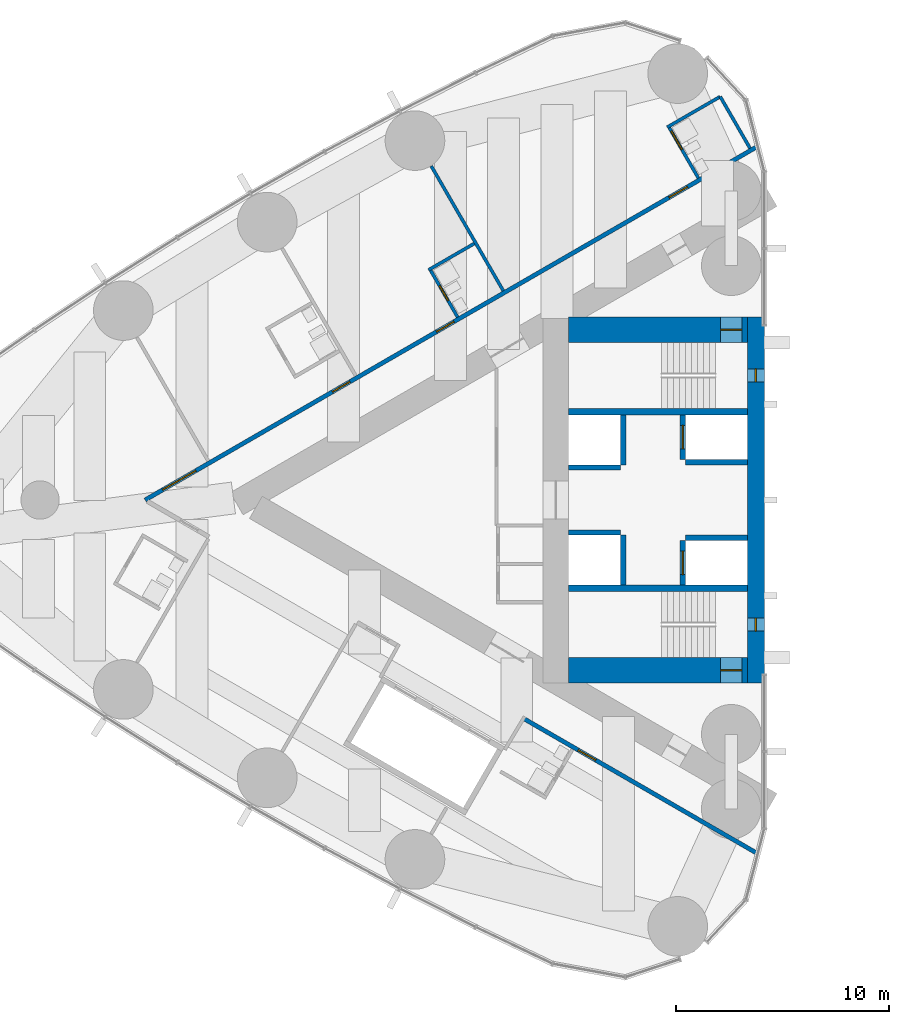
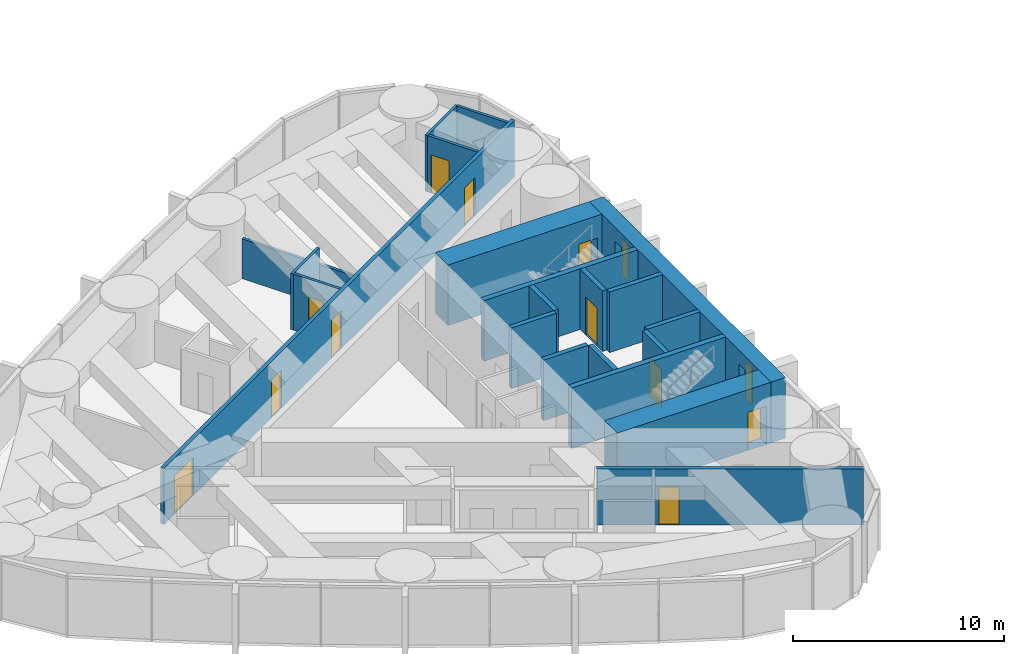
# One storey, part 13 of 19: 21 walls, 11 doors, 2 windows, 13 openings.
"""IFC4 building model written with IfcOpenShell, lengths in metres."""

from ifc_helpers import new_model, si_unit, direction, frame, frame_2d, origin, place, context, subcontext, project, spatial, rectangle, extrude, material, layer, layer_set, type_object, element, fill, save


model = new_model("IFC4")

# Units and contexts
model_context = context("Model", 3, precision=1e-05, world=origin(), true_north=direction((0.0, 1.0)))
body_context = subcontext(model_context, "Body", "Model", "MODEL_VIEW")
ifc_project = project(units=[si_unit("LENGTHUNIT", "METRE"), si_unit("AREAUNIT", "SQUARE_METRE"), si_unit("VOLUMEUNIT", "CUBIC_METRE"), si_unit("PLANEANGLEUNIT", "RADIAN"), si_unit("MASSUNIT", "GRAM", prefix="KILO")], contexts=[model_context])

# Site, building, storey
site_placement = place(None, origin())
site = spatial("IfcSite", under=ifc_project, at=site_placement, CompositionType="ELEMENT")
building_placement = place(site_placement, origin())
building = spatial("IfcBuilding", under=site, at=building_placement, Name="Lancet Gate Hotel", CompositionType="ELEMENT")
storey_placement = place(building_placement, frame((0.0, 0.0, 191.300048828125)))
storey = spatial("IfcBuildingStorey", under=building, at=storey_placement, Name="L51", CompositionType="ELEMENT", Elevation=191.300048828125)

# Wall
ifc_material_1 = material(Name="Moisture resistant board partition")
ifc_layer_1 = layer(ifc_material_1, 0.14990234375)
ifc_layer_set_1 = layer_set([ifc_layer_1], Name="Bathroom wall 150")
wall_type_1 = type_object("IfcWallType", Name="Bathroom wall 150", PredefinedType="PARTITIONING", material=ifc_layer_set_1)
wall_1_placement = place(storey_placement, frame((-29.56982421875, 18.936279296875, 0.0), z_axis=(0.0, 0.0, 1.0), x_axis=(-0.866018712932, -0.500011588718, 0.0)))
element("IfcWall", 1, at=wall_1_placement, inside=storey, type_object=wall_type_1, Name="T1 bathroom wall 150 L51", PredefinedType="PARTITIONING", context=body_context, shape_type="SweptSolid", body=[
    extrude(rectangle(XDim=2.875, YDim=0.14990234375, at=frame_2d((1.4375, 0.0))), origin(), (0.0, 0.0, 1.0), 3.25),
])

# Wall, opening, door
wall_2_placement = place(storey_placement, frame((-30.5947265625, 15.111328125, 0.0), z_axis=(0.0, 0.0, 1.0), x_axis=(-0.49998411664, 0.866034573852, 0.0)))
wall_2 = element("IfcWall", 2, at=wall_2_placement, inside=storey, type_object=wall_type_1, Name="T1 bathroom wall 150 L51", PredefinedType="PARTITIONING", context=body_context, shape_type="SweptSolid", body=[
    extrude(rectangle(XDim=2.7998046875, YDim=0.14990234375, at=frame_2d((1.39990234375, 0.0))), origin(), (0.0, 0.0, 1.0), 3.25),
])
opening_1_placement = place(wall_2_placement, frame((1.550048828125, 0.0, 0.0)))
opening_1 = element("IfcOpeningElement", 3, at=opening_1_placement, cuts=wall_2, Name="Opening 5101-B", PredefinedType="OPENING", context=body_context, shape_type="SweptSolid", body=[
    extrude(rectangle(XDim=1.0, YDim=2.199951171875, at=frame_2d((0.5, 1.10009765625))), frame((0.0, 0.0849609375, 0.0), z_axis=(0.0, -1.0, 0.0), x_axis=(1.0, 0.0, 0.0)), (0.0, 0.0, 1.0), 0.169921875),
])
ifc_material_2 = material(Name="Timber door set", Category="wood")
door_type_1 = type_object("IfcDoorType", Name="Accessible en-suite door 1000", OperationType="SINGLE_SWING_RIGHT", PredefinedType="DOOR", material=ifc_material_2)
door_1_placement = place(opening_1_placement, origin())
door_1 = element("IfcDoor", 4, at=door_1_placement, inside=storey, type_object=door_type_1, Name="5101-B", OperationType="SINGLE_SWING_RIGHT", OverallHeight=2.199951171875, OverallWidth=1.0, PredefinedType="DOOR", context=body_context, shape_type="SweptSolid", body=[
    extrude(rectangle(XDim=1.0, YDim=2.199951171875, at=frame_2d((0.5, 1.10009765625))), frame((0.0, 0.02490234375, 0.0), z_axis=(0.0, -1.0, 0.0), x_axis=(1.0, 0.0, 0.0)), (0.0, 0.0, 1.0), 0.050048828125),
])
fill(opening_1, door_1)

# Walls
wall_3_placement = place(storey_placement, frame((-28.169921875, 16.51123046875, 0.0), z_axis=(0.0, 0.0, 1.0), x_axis=(-0.49994636267, 0.866056369097, 0.0)))
element("IfcWall", 5, at=wall_3_placement, inside=storey, type_object=wall_type_1, Name="T1 bathroom wall 150 L51", PredefinedType="PARTITIONING", context=body_context, shape_type="SweptSolid", body=[
    extrude(rectangle(XDim=2.800048828125, YDim=0.14990234375, at=frame_2d((1.39990234375, 0.0))), origin(), (0.0, 0.0, 1.0), 3.25),
])
wall_4_placement = place(storey_placement, frame((-41.119140625, 12.037109375, 0.0), z_axis=(0.0, 0.0, 1.0), x_axis=(-0.866073894602, -0.499916002032, 0.0)))
element("IfcWall", 6, at=wall_4_placement, inside=storey, type_object=wall_type_1, Name="T1 bathroom wall 150 L51", PredefinedType="PARTITIONING", context=body_context, shape_type="SweptSolid", body=[
    extrude(rectangle(XDim=2.47509765625, YDim=0.14990234375, at=frame_2d((1.237548828125, 0.0))), origin(), (0.0, 0.0, 1.0), 3.25),
])

# Wall, opening, door
wall_5_placement = place(storey_placement, frame((-41.897705078125, 8.58544921875, 0.0), z_axis=(0.0, 0.0, 1.0), x_axis=(-0.500006934395, 0.866021400173, 0.0)))
wall_5 = element("IfcWall", 7, at=wall_5_placement, inside=storey, type_object=wall_type_1, Name="T1 bathroom wall 150 L51", PredefinedType="PARTITIONING", context=body_context, shape_type="SweptSolid", body=[
    extrude(rectangle(XDim=2.60009765625, YDim=0.14990234375, at=frame_2d((1.300048828125, 0.0))), origin(), (0.0, 0.0, 1.0), 3.25),
])
opening_2_placement = place(wall_5_placement, frame((0.89990234375, 0.0, 0.0)))
opening_2 = element("IfcOpeningElement", 8, at=opening_2_placement, cuts=wall_5, Name="Opening 5102-B", PredefinedType="OPENING", context=body_context, shape_type="SweptSolid", body=[
    extrude(rectangle(XDim=0.800048828125, YDim=2.199951171875, at=frame_2d((0.39990234375, 1.10009765625))), frame((0.0, 0.0849609375, 0.0), z_axis=(0.0, -1.0, 0.0), x_axis=(1.0, 0.0, 0.0)), (0.0, 0.0, 1.0), 0.169921875),
])
ifc_material_3 = material(Name="Timber door set", Category="wood")
door_type_2 = type_object("IfcDoorType", Name="Bathroom door 800", OperationType="SINGLE_SWING_RIGHT", PredefinedType="DOOR", material=ifc_material_3)
door_2_placement = place(opening_2_placement, origin())
door_2 = element("IfcDoor", 9, at=door_2_placement, inside=storey, type_object=door_type_2, Name="5102-B", OperationType="SINGLE_SWING_RIGHT", OverallHeight=2.199951171875, OverallWidth=0.800048828125, PredefinedType="DOOR", context=body_context, shape_type="SweptSolid", body=[
    extrude(rectangle(XDim=0.800048828125, YDim=2.199951171875, at=frame_2d((0.39990234375, 1.10009765625))), frame((0.0, 0.02490234375, 0.0), z_axis=(0.0, -1.0, 0.0), x_axis=(1.0, 0.0, 0.0)), (0.0, 0.0, 1.0), 0.050048828125),
])
fill(opening_2, door_2)

ifc_material_4 = material(Name="Concrete C70/85", Category="concrete")
ifc_layer_2 = layer(ifc_material_4, 1.199951171875)
ifc_layer_set_2 = layer_set([ifc_layer_2], Name="Core wall 1200")
wall_type_2 = type_object("IfcWallType", Name="Core wall 1200", PredefinedType="SHEAR", material=ifc_layer_set_2)
wall_6_placement = place(storey_placement, frame((-28.300048828125, 8.0, 0.0), z_axis=(0.0, 0.0, 1.0), x_axis=(-1.0, 0.0, 0.0)))
wall_6 = element("IfcWall", 10, at=wall_6_placement, inside=storey, type_object=wall_type_2, Name="T1 core wall side-S L51", PredefinedType="SHEAR", context=body_context, shape_type="SweptSolid", body=[
    extrude(rectangle(XDim=8.39990234375, YDim=1.199951171875, at=frame_2d((4.199951171875, 0.0))), origin(), (0.0, 0.0, 1.0), 3.5),
])
opening_3_placement = place(wall_6_placement, frame((0.25, 0.0, 0.0)))
opening_3 = element("IfcOpeningElement", 11, at=opening_3_placement, cuts=wall_6, Name="Opening T1-L51-ST1", PredefinedType="OPENING", context=body_context, shape_type="SweptSolid", body=[
    extrude(rectangle(XDim=1.0, YDim=2.199951171875, at=frame_2d((0.5, 1.10009765625))), frame((0.0, 0.60986328125, 0.0), z_axis=(0.0, -1.0, 0.0), x_axis=(1.0, 0.0, 0.0)), (0.0, 0.0, 1.0), 1.219970703125),
])
ifc_material_5 = material(Name="Timber door set", Category="wood")
door_type_3 = type_object("IfcDoorType", Name="Stair door 1000", OperationType="SINGLE_SWING_RIGHT", PredefinedType="DOOR", material=ifc_material_5)
door_3_placement = place(opening_3_placement, origin())
door_3 = element("IfcDoor", 12, at=door_3_placement, inside=storey, type_object=door_type_3, Name="T1-L51-ST1", OperationType="SINGLE_SWING_RIGHT", OverallHeight=2.199951171875, OverallWidth=1.0, PredefinedType="DOOR", context=body_context, shape_type="SweptSolid", body=[
    extrude(rectangle(XDim=1.0, YDim=2.199951171875, at=frame_2d((0.5, 1.10009765625))), frame((0.0, 0.02490234375, 0.0), z_axis=(0.0, -1.0, 0.0), x_axis=(1.0, 0.0, 0.0)), (0.0, 0.0, 1.0), 0.050048828125),
])
fill(opening_3, door_3)

wall_7_placement = place(storey_placement, frame((-28.300048828125, -8.0, 0.0), z_axis=(0.0, 0.0, 1.0), x_axis=(-1.0, 0.0, 0.0)))
wall_7 = element("IfcWall", 13, at=wall_7_placement, inside=storey, type_object=wall_type_2, Name="T1 core wall side-N L51", PredefinedType="SHEAR", context=body_context, shape_type="SweptSolid", body=[
    extrude(rectangle(XDim=8.39990234375, YDim=1.199951171875, at=frame_2d((4.199951171875, 0.0))), origin(), (0.0, 0.0, 1.0), 3.5),
])
opening_4_placement = place(wall_7_placement, frame((0.25, 0.0, 0.0)))
opening_4 = element("IfcOpeningElement", 14, at=opening_4_placement, cuts=wall_7, Name="Opening T1-L51-ST2", PredefinedType="OPENING", context=body_context, shape_type="SweptSolid", body=[
    extrude(rectangle(XDim=1.0, YDim=2.199951171875, at=frame_2d((0.5, 1.10009765625))), frame((0.0, 0.60986328125, 0.0), z_axis=(0.0, -1.0, 0.0), x_axis=(1.0, 0.0, 0.0)), (0.0, 0.0, 1.0), 1.219970703125),
])
door_4_placement = place(opening_4_placement, origin())
door_4 = element("IfcDoor", 15, at=door_4_placement, inside=storey, type_object=door_type_3, Name="T1-L51-ST2", OperationType="SINGLE_SWING_RIGHT", OverallHeight=2.199951171875, OverallWidth=1.0, PredefinedType="DOOR", context=body_context, shape_type="SweptSolid", body=[
    extrude(rectangle(XDim=1.0, YDim=2.199951171875, at=frame_2d((0.5, 1.10009765625))), frame((0.0, 0.02490234375, 0.0), z_axis=(0.0, -1.0, 0.0), x_axis=(1.0, 0.0, 0.0)), (0.0, 0.0, 1.0), 0.050048828125),
])
fill(opening_4, door_4)

# Wall, openings, windows
ifc_material_6 = material(Name="Concrete C70/85", Category="concrete")
ifc_layer_3 = layer(ifc_material_6, 0.800048828125)
ifc_layer_set_3 = layer_set([ifc_layer_3], Name="Core wall 800")
wall_type_3 = type_object("IfcWallType", Name="Core wall 800", PredefinedType="SHEAR", material=ifc_layer_set_3)
wall_8_placement = place(storey_placement, frame((-27.89990234375, 8.60009765625, 0.0), z_axis=(0.0, 0.0, 1.0), x_axis=(0.0, -1.0, 0.0)))
wall_8 = element("IfcWall", 16, at=wall_8_placement, inside=storey, type_object=wall_type_3, Name="T1 core wall front L51", PredefinedType="SHEAR", context=body_context, shape_type="SweptSolid", body=[
    extrude(rectangle(XDim=17.2001953125, YDim=0.800048828125, at=frame_2d((8.60009765625, 0.0))), origin(), (0.0, 0.0, 1.0), 3.5),
])
opening_5_placement = place(wall_8_placement, frame((2.449951171875, 0.0, 0.60009765625)))
opening_5 = element("IfcOpeningElement", 17, at=opening_5_placement, cuts=wall_8, Name="Opening LW1", PredefinedType="OPENING", context=body_context, shape_type="SweptSolid", body=[
    extrude(rectangle(XDim=0.60009765625, YDim=2.10009765625, at=frame_2d((0.300048828125, 1.050048828125))), frame((0.0, 0.409912109375, 0.0), z_axis=(0.0, -1.0, 0.0), x_axis=(1.0, 0.0, 0.0)), (0.0, 0.0, 1.0), 0.820068359375),
])
opening_6_placement = place(wall_8_placement, frame((14.14990234375, 0.0, 0.60009765625)))
opening_6 = element("IfcOpeningElement", 18, at=opening_6_placement, cuts=wall_8, Name="Opening LW1", PredefinedType="OPENING", context=body_context, shape_type="SweptSolid", body=[
    extrude(rectangle(XDim=0.60009765625, YDim=2.10009765625, at=frame_2d((0.300048828125, 1.050048828125))), frame((0.0, 0.409912109375, 0.0), z_axis=(0.0, -1.0, 0.0), x_axis=(1.0, 0.0, 0.0)), (0.0, 0.0, 1.0), 0.820068359375),
])
ifc_material_7 = material(Name="Fire-resisting glazed steel window", Category="steel")
window_type = type_object("IfcWindowType", Name="Lancet window 600x2100", PartitioningType="SINGLE_PANEL", PredefinedType="WINDOW", material=ifc_material_7)
window_1_placement = place(opening_5_placement, origin())
window_1 = element("IfcWindow", 19, at=window_1_placement, inside=storey, type_object=window_type, Name="T1 stair window S L51", OverallHeight=2.10009765625, OverallWidth=0.60009765625, PartitioningType="SINGLE_PANEL", PredefinedType="WINDOW", context=body_context, shape_type="SweptSolid", body=[
    extrude(rectangle(XDim=0.60009765625, YDim=2.10009765625, at=frame_2d((0.300048828125, 1.050048828125))), frame((0.0, 0.030029296875, 0.0), z_axis=(0.0, -1.0, 0.0), x_axis=(1.0, 0.0, 0.0)), (0.0, 0.0, 1.0), 0.06005859375),
])
fill(opening_5, window_1)
window_2_placement = place(opening_6_placement, origin())
window_2 = element("IfcWindow", 20, at=window_2_placement, inside=storey, type_object=window_type, Name="T1 stair window N L51", OverallHeight=2.10009765625, OverallWidth=0.60009765625, PartitioningType="SINGLE_PANEL", PredefinedType="WINDOW", context=body_context, shape_type="SweptSolid", body=[
    extrude(rectangle(XDim=0.60009765625, YDim=2.10009765625, at=frame_2d((0.300048828125, 1.050048828125))), frame((0.0, 0.030029296875, 0.0), z_axis=(0.0, -1.0, 0.0), x_axis=(1.0, 0.0, 0.0)), (0.0, 0.0, 1.0), 0.06005859375),
])
fill(opening_6, window_2)

# Wall, openings, doors
ifc_material_8 = material(Name="Gypsum board partition")
ifc_layer_4 = layer(ifc_material_8, 0.199951171875)
ifc_layer_set_4 = layer_set([ifc_layer_4], Name="Corridor wall 200")
wall_type_4 = type_object("IfcWallType", Name="Corridor wall 200", PredefinedType="PARTITIONING", material=ifc_layer_set_4)
wall_9_placement = place(storey_placement, frame((-27.860107421875, 16.57470703125, 0.0), z_axis=(0.0, 0.0, 1.0), x_axis=(-0.866025533911, -0.499999774615, 0.0)))
wall_9 = element("IfcWall", 21, at=wall_9_placement, inside=storey, type_object=wall_type_4, Name="T1 corridor wall 200 L51", PredefinedType="PARTITIONING", context=body_context, shape_type="SweptSolid", body=[
    extrude(rectangle(XDim=33.1494140625, YDim=0.199951171875, at=frame_2d((16.57470703125, 0.0))), origin(), (0.0, 0.0, 1.0), 3.25),
])
opening_7_placement = place(wall_9_placement, frame((3.75, 0.0, 0.0)))
opening_7 = element("IfcOpeningElement", 22, at=opening_7_placement, cuts=wall_9, Name="Opening 5101-E", PredefinedType="OPENING", context=body_context, shape_type="SweptSolid", body=[
    extrude(rectangle(XDim=1.0, YDim=2.199951171875, at=frame_2d((0.5, 1.10009765625))), frame((0.0, 0.10986328125, 0.0), z_axis=(0.0, -1.0, 0.0), x_axis=(1.0, 0.0, 0.0)), (0.0, 0.0, 1.0), 0.219970703125),
])
opening_8_placement = place(wall_9_placement, frame((16.401611328125, 0.0, 0.0)))
opening_8 = element("IfcOpeningElement", 23, at=opening_8_placement, cuts=wall_9, Name="Opening 5102-E", PredefinedType="OPENING", context=body_context, shape_type="SweptSolid", body=[
    extrude(rectangle(XDim=0.949951171875, YDim=2.199951171875, at=frame_2d((0.47509765625, 1.10009765625))), frame((0.0, 0.10986328125, 0.0), z_axis=(0.0, -1.0, 0.0), x_axis=(1.0, 0.0, 0.0)), (0.0, 0.0, 1.0), 0.219970703125),
])
opening_9_placement = place(wall_9_placement, frame((22.04736328125, 0.0, 0.0)))
opening_9 = element("IfcOpeningElement", 24, at=opening_9_placement, cuts=wall_9, Name="Opening 5103-E", PredefinedType="OPENING", context=body_context, shape_type="SweptSolid", body=[
    extrude(rectangle(XDim=0.949951171875, YDim=2.199951171875, at=frame_2d((0.47509765625, 1.10009765625))), frame((0.0, 0.10986328125, 0.0), z_axis=(0.0, -1.0, 0.0), x_axis=(1.0, 0.0, 0.0)), (0.0, 0.0, 1.0), 0.219970703125),
])
opening_10_placement = place(wall_9_placement, frame((30.3955078125, 0.0, 0.0)))
opening_10 = element("IfcOpeningElement", 25, at=opening_10_placement, cuts=wall_9, Name="Opening 5104-E", PredefinedType="OPENING", context=body_context, shape_type="SweptSolid", body=[
    extrude(rectangle(XDim=1.800048828125, YDim=2.199951171875, at=frame_2d((0.89990234375, 1.10009765625))), frame((0.0, 0.10986328125, 0.0), z_axis=(0.0, -1.0, 0.0), x_axis=(1.0, 0.0, 0.0)), (0.0, 0.0, 1.0), 0.219970703125),
])
ifc_material_9 = material(Name="Timber door set", Category="wood")
door_type_4 = type_object("IfcDoorType", Name="Accessible guest room door 1000", OperationType="SINGLE_SWING_LEFT", PredefinedType="DOOR", material=ifc_material_9)
door_5_placement = place(opening_7_placement, origin())
door_5 = element("IfcDoor", 26, at=door_5_placement, inside=storey, type_object=door_type_4, Name="5101-E", OperationType="SINGLE_SWING_LEFT", OverallHeight=2.199951171875, OverallWidth=1.0, PredefinedType="DOOR", context=body_context, shape_type="SweptSolid", body=[
    extrude(rectangle(XDim=1.0, YDim=2.199951171875, at=frame_2d((0.5, 1.10009765625))), frame((0.0, 0.02490234375, 0.0), z_axis=(0.0, -1.0, 0.0), x_axis=(1.0, 0.0, 0.0)), (0.0, 0.0, 1.0), 0.050048828125),
])
fill(opening_7, door_5)
ifc_material_10 = material(Name="Timber door set", Category="wood")
door_type_5 = type_object("IfcDoorType", Name="Double door 1800", OperationType="DOUBLE_DOOR_SINGLE_SWING", PredefinedType="DOOR", material=ifc_material_10)
door_6_placement = place(opening_10_placement, origin())
door_6 = element("IfcDoor", 27, at=door_6_placement, inside=storey, type_object=door_type_5, Name="5104-E", OperationType="DOUBLE_DOOR_SINGLE_SWING", OverallHeight=2.199951171875, OverallWidth=1.800048828125, PredefinedType="DOOR", context=body_context, shape_type="SweptSolid", body=[
    extrude(rectangle(XDim=1.800048828125, YDim=2.199951171875, at=frame_2d((0.89990234375, 1.10009765625))), frame((0.0, 0.02490234375, 0.0), z_axis=(0.0, -1.0, 0.0), x_axis=(1.0, 0.0, 0.0)), (0.0, 0.0, 1.0), 0.050048828125),
])
fill(opening_10, door_6)
ifc_material_11 = material(Name="Timber door set", Category="wood")
door_type_6 = type_object("IfcDoorType", Name="Guest room entry door 950", OperationType="SINGLE_SWING_LEFT", PredefinedType="DOOR", material=ifc_material_11)
door_7_placement = place(opening_8_placement, origin())
door_7 = element("IfcDoor", 28, at=door_7_placement, inside=storey, type_object=door_type_6, Name="5102-E", OperationType="SINGLE_SWING_LEFT", OverallHeight=2.199951171875, OverallWidth=0.949951171875, PredefinedType="DOOR", context=body_context, shape_type="SweptSolid", body=[
    extrude(rectangle(XDim=0.949951171875, YDim=2.199951171875, at=frame_2d((0.47509765625, 1.10009765625))), frame((0.0, 0.02490234375, 0.0), z_axis=(0.0, -1.0, 0.0), x_axis=(1.0, 0.0, 0.0)), (0.0, 0.0, 1.0), 0.050048828125),
])
fill(opening_8, door_7)
door_8_placement = place(opening_9_placement, origin())
door_8 = element("IfcDoor", 29, at=door_8_placement, inside=storey, type_object=door_type_6, Name="5103-E", OperationType="SINGLE_SWING_LEFT", OverallHeight=2.199951171875, OverallWidth=0.949951171875, PredefinedType="DOOR", context=body_context, shape_type="SweptSolid", body=[
    extrude(rectangle(XDim=0.949951171875, YDim=2.199951171875, at=frame_2d((0.47509765625, 1.10009765625))), frame((0.0, 0.02490234375, 0.0), z_axis=(0.0, -1.0, 0.0), x_axis=(1.0, 0.0, 0.0)), (0.0, 0.0, 1.0), 0.050048828125),
])
fill(opening_9, door_8)

# Wall, opening, door
wall_10_placement = place(storey_placement, frame((-27.860107421875, -16.57470703125, 0.0), z_axis=(0.0, 0.0, 1.0), x_axis=(-0.866027756871, 0.499995924312, 0.0)))
wall_10 = element("IfcWall", 30, at=wall_10_placement, inside=storey, type_object=wall_type_4, Name="T1 corridor wall 200 L51", PredefinedType="PARTITIONING", context=body_context, shape_type="SweptSolid", body=[
    extrude(rectangle(XDim=12.6220703125, YDim=0.199951171875, at=frame_2d((6.31103515625, 0.0))), origin(), (0.0, 0.0, 1.0), 3.25),
])
opening_11_placement = place(wall_10_placement, frame((8.72216796875, 0.0, 0.0)))
opening_11 = element("IfcOpeningElement", 31, at=opening_11_placement, cuts=wall_10, Name="Opening 5108-E", PredefinedType="OPENING", context=body_context, shape_type="SweptSolid", body=[
    extrude(rectangle(XDim=0.949951171875, YDim=2.199951171875, at=frame_2d((0.47509765625, 1.10009765625))), frame((0.0, 0.10986328125, 0.0), z_axis=(0.0, -1.0, 0.0), x_axis=(1.0, 0.0, 0.0)), (0.0, 0.0, 1.0), 0.219970703125),
])
door_9_placement = place(opening_11_placement, origin())
door_9 = element("IfcDoor", 32, at=door_9_placement, inside=storey, type_object=door_type_6, Name="5108-E", OperationType="SINGLE_SWING_LEFT", OverallHeight=2.199951171875, OverallWidth=0.949951171875, PredefinedType="DOOR", context=body_context, shape_type="SweptSolid", body=[
    extrude(rectangle(XDim=0.949951171875, YDim=2.199951171875, at=frame_2d((0.47509765625, 1.10009765625))), frame((0.0, 0.02490234375, 0.0), z_axis=(0.0, -1.0, 0.0), x_axis=(1.0, 0.0, 0.0)), (0.0, 0.0, 1.0), 0.050048828125),
])
fill(opening_11, door_9)

ifc_material_12 = material(Name="Concrete C50/60", Category="concrete")
ifc_layer_5 = layer(ifc_material_12, 0.25)
ifc_layer_set_5 = layer_set([ifc_layer_5], Name="Lift shaft wall 250")
wall_type_5 = type_object("IfcWallType", Name="Lift shaft wall 250", PredefinedType="SHEAR", material=ifc_layer_set_5)
wall_11_placement = place(storey_placement, frame((-31.324951171875, 4.0, 0.0), z_axis=(0.0, 0.0, 1.0), x_axis=(0.0, -1.0, 0.0)))
wall_11 = element("IfcWall", 33, at=wall_11_placement, inside=storey, type_object=wall_type_5, Name="T1 core wall row1-S L51", PredefinedType="SHEAR", context=body_context, shape_type="SweptSolid", body=[
    extrude(rectangle(XDim=2.10009765625, YDim=0.25, at=frame_2d((1.050048828125, 0.0))), origin(), (0.0, 0.0, 1.0), 3.5),
])
opening_12_placement = place(wall_11_placement, frame((0.5, 0.0, 0.0)))
opening_12 = element("IfcOpeningElement", 34, at=opening_12_placement, cuts=wall_11, Name="Opening T1-SL1-L51", PredefinedType="OPENING", context=body_context, shape_type="SweptSolid", body=[
    extrude(rectangle(XDim=1.10009765625, YDim=2.199951171875, at=frame_2d((0.550048828125, 1.10009765625))), frame((0.0, 0.135009765625, 0.0), z_axis=(0.0, -1.0, 0.0), x_axis=(1.0, 0.0, 0.0)), (0.0, 0.0, 1.0), 0.27001953125),
])
ifc_material_13 = material(Name="Timber door set", Category="wood")
door_type_7 = type_object("IfcDoorType", Name="Service lift landing door 1100", OperationType="SLIDING_TO_LEFT", PredefinedType="USERDEFINED", material=ifc_material_13)
door_10_placement = place(opening_12_placement, origin())
door_10 = element("IfcDoor", 35, at=door_10_placement, inside=storey, type_object=door_type_7, Name="T1-SL1-L51", ObjectType="LIFT LANDING DOOR", OperationType="SLIDING_TO_LEFT", OverallHeight=2.199951171875, OverallWidth=1.10009765625, PredefinedType="USERDEFINED", context=body_context, shape_type="SweptSolid", body=[
    extrude(rectangle(XDim=1.10009765625, YDim=2.199951171875, at=frame_2d((0.550048828125, 1.10009765625))), frame((0.0, 0.02490234375, 0.0), z_axis=(0.0, -1.0, 0.0), x_axis=(1.0, 0.0, 0.0)), (0.0, 0.0, 1.0), 0.050048828125),
])
fill(opening_12, door_10)

# Walls
wall_12_placement = place(storey_placement, frame((-34.125, 4.0, 0.0), z_axis=(0.0, 0.0, 1.0), x_axis=(0.0, -1.0, 0.0)))
element("IfcWall", 36, at=wall_12_placement, inside=storey, type_object=wall_type_5, Name="T1 core wall row2-S L51", PredefinedType="SHEAR", context=body_context, shape_type="SweptSolid", body=[
    extrude(rectangle(XDim=2.35009765625, YDim=0.25, at=frame_2d((1.175048828125, 0.0))), origin(), (0.0, 0.0, 1.0), 3.5),
])
wall_13_placement = place(storey_placement, frame((-28.300048828125, 1.77490234375, 0.0), z_axis=(0.0, 0.0, 1.0), x_axis=(-1.0, 0.0, 0.0)))
element("IfcWall", 37, at=wall_13_placement, inside=storey, type_object=wall_type_5, Name="T1 core wall pass1-S L51", PredefinedType="SHEAR", context=body_context, shape_type="SweptSolid", body=[
    extrude(rectangle(XDim=2.89990234375, YDim=0.25, at=frame_2d((1.449951171875, 0.0))), origin(), (0.0, 0.0, 1.0), 3.5),
])
wall_14_placement = place(storey_placement, frame((-34.25, 1.52490234375, 0.0), z_axis=(0.0, 0.0, 1.0), x_axis=(-1.0, 0.0, 0.0)))
element("IfcWall", 38, at=wall_14_placement, inside=storey, type_object=wall_type_5, Name="T1 core wall pass2-S L51", PredefinedType="SHEAR", context=body_context, shape_type="SweptSolid", body=[
    extrude(rectangle(XDim=2.449951171875, YDim=0.25, at=frame_2d((1.22509765625, 0.0))), origin(), (0.0, 0.0, 1.0), 3.5),
])

# Wall, opening, door
wall_15_placement = place(storey_placement, frame((-31.324951171875, -1.89990234375, 0.0), z_axis=(0.0, 0.0, 1.0), x_axis=(0.0, -1.0, 0.0)))
wall_15 = element("IfcWall", 39, at=wall_15_placement, inside=storey, type_object=wall_type_5, Name="T1 core wall row1-N L51", PredefinedType="SHEAR", context=body_context, shape_type="SweptSolid", body=[
    extrude(rectangle(XDim=2.10009765625, YDim=0.25, at=frame_2d((1.050048828125, 0.0))), origin(), (0.0, 0.0, 1.0), 3.5),
])
opening_13_placement = place(wall_15_placement, frame((0.5, 0.0, 0.0)))
opening_13 = element("IfcOpeningElement", 40, at=opening_13_placement, cuts=wall_15, Name="Opening T1-FL2-L51", PredefinedType="OPENING", context=body_context, shape_type="SweptSolid", body=[
    extrude(rectangle(XDim=1.10009765625, YDim=2.199951171875, at=frame_2d((0.550048828125, 1.10009765625))), frame((0.0, 0.135009765625, 0.0), z_axis=(0.0, -1.0, 0.0), x_axis=(1.0, 0.0, 0.0)), (0.0, 0.0, 1.0), 0.27001953125),
])
ifc_material_14 = material(Name="Steel door set", Category="steel")
door_type_8 = type_object("IfcDoorType", Name="Firefighting lift landing door 1100", OperationType="SLIDING_TO_LEFT", PredefinedType="USERDEFINED", material=ifc_material_14)
door_11_placement = place(opening_13_placement, origin())
door_11 = element("IfcDoor", 41, at=door_11_placement, inside=storey, type_object=door_type_8, Name="T1-FL2-L51", ObjectType="LIFT LANDING DOOR", OperationType="SLIDING_TO_LEFT", OverallHeight=2.199951171875, OverallWidth=1.10009765625, PredefinedType="USERDEFINED", context=body_context, shape_type="SweptSolid", body=[
    extrude(rectangle(XDim=1.10009765625, YDim=2.199951171875, at=frame_2d((0.550048828125, 1.10009765625))), frame((0.0, 0.02490234375, 0.0), z_axis=(0.0, -1.0, 0.0), x_axis=(1.0, 0.0, 0.0)), (0.0, 0.0, 1.0), 0.050048828125),
])
fill(opening_13, door_11)

# Walls
wall_16_placement = place(storey_placement, frame((-34.125, -1.64990234375, 0.0), z_axis=(0.0, 0.0, 1.0), x_axis=(0.0, -1.0, 0.0)))
element("IfcWall", 42, at=wall_16_placement, inside=storey, type_object=wall_type_5, Name="T1 core wall row2-N L51", PredefinedType="SHEAR", context=body_context, shape_type="SweptSolid", body=[
    extrude(rectangle(XDim=2.35009765625, YDim=0.25, at=frame_2d((1.175048828125, 0.0))), origin(), (0.0, 0.0, 1.0), 3.5),
])
wall_17_placement = place(storey_placement, frame((-28.300048828125, -1.77490234375, 0.0), z_axis=(0.0, 0.0, 1.0), x_axis=(-1.0, 0.0, 0.0)))
element("IfcWall", 43, at=wall_17_placement, inside=storey, type_object=wall_type_5, Name="T1 core wall pass1-N L51", PredefinedType="SHEAR", context=body_context, shape_type="SweptSolid", body=[
    extrude(rectangle(XDim=2.89990234375, YDim=0.25, at=frame_2d((1.449951171875, 0.0))), origin(), (0.0, 0.0, 1.0), 3.5),
])
wall_18_placement = place(storey_placement, frame((-34.25, -1.52490234375, 0.0), z_axis=(0.0, 0.0, 1.0), x_axis=(-1.0, 0.0, 0.0)))
element("IfcWall", 44, at=wall_18_placement, inside=storey, type_object=wall_type_5, Name="T1 core wall pass2-N L51", PredefinedType="SHEAR", context=body_context, shape_type="SweptSolid", body=[
    extrude(rectangle(XDim=2.449951171875, YDim=0.25, at=frame_2d((1.22509765625, 0.0))), origin(), (0.0, 0.0, 1.0), 3.5),
])
ifc_material_15 = material(Name="Gypsum board partition")
ifc_layer_6 = layer(ifc_material_15, 0.14990234375)
ifc_layer_set_6 = layer_set([ifc_layer_6], Name="Party wall 150")
wall_type_6 = type_object("IfcWallType", Name="Party wall 150", PredefinedType="PARTITIONING", material=ifc_layer_set_6)
wall_19_placement = place(storey_placement, frame((-39.75439453125, 9.822998046875, 0.0), z_axis=(0.0, 0.0, 1.0), x_axis=(-0.499997670926, 0.866026748472, 0.0)))
element("IfcWall", 45, at=wall_19_placement, inside=storey, type_object=wall_type_6, Name="T1 party wall 150 L51", PredefinedType="PARTITIONING", context=body_context, shape_type="SweptSolid", body=[
    extrude(rectangle(XDim=6.75732421875, YDim=0.14990234375, at=frame_2d((3.378662109375, 0.0))), origin(), (0.0, 0.0, 1.0), 2.300048828125),
])
ifc_material_16 = material(Name="Concrete C50/60", Category="concrete")
ifc_layer_7 = layer(ifc_material_16, 0.300048828125)
ifc_layer_set_7 = layer_set([ifc_layer_7], Name="Stair enclosure wall 300")
wall_type_7 = type_object("IfcWallType", Name="Stair enclosure wall 300", PredefinedType="SHEAR", material=ifc_layer_set_7)
for number, where, z_axis, x_axis, name in (
    (46, (-28.300048828125, 4.14990234375, 0.0), (0.0, 0.0, 1.0), (-1.0, 0.0, 0.0), "T1 core wall stair-S L51"),
    (47, (-28.300048828125, -4.14990234375, 0.0), (0.0, 0.0, 1.0), (-1.0, 0.0, 0.0), "T1 core wall stair-N L51"),
):
    element("IfcWall", number, at=place(storey_placement, frame(where, z_axis=z_axis, x_axis=x_axis)), inside=storey, type_object=wall_type_7, Name=name, PredefinedType="SHEAR", context=body_context, shape_type="SweptSolid", body=[
        extrude(rectangle(XDim=8.39990234375, YDim=0.300048828125, at=frame_2d((4.199951171875, 0.0))), origin(), (0.0, 0.0, 1.0), 3.5),
    ])

save(model, "model.ifc")
